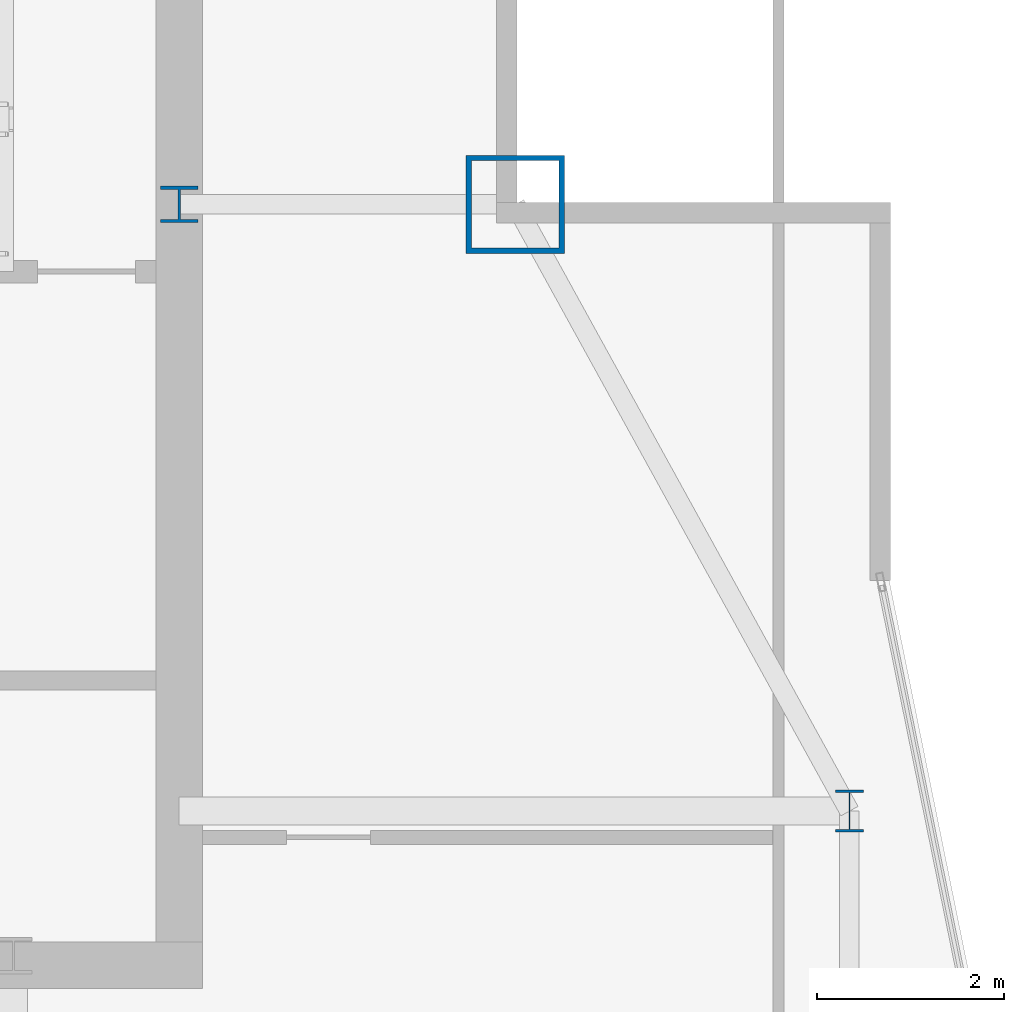
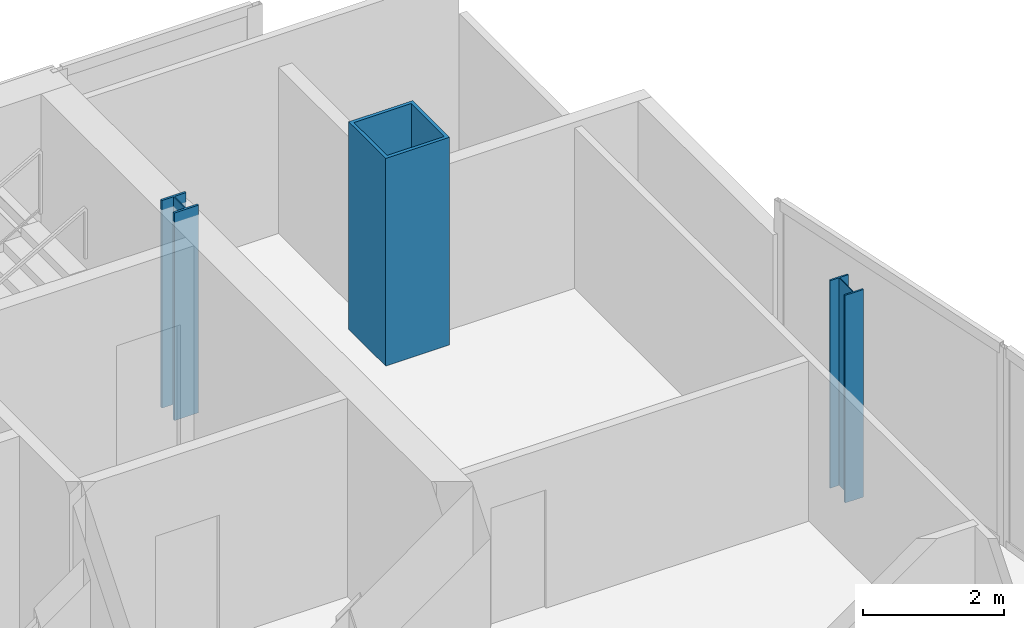
# One storey, part 4 of 31: 3 columns.
"""IFC4 building model written with IfcOpenShell, lengths in metres."""

from ifc_helpers import new_model, si_unit, direction, frame, origin, origin_2d, place, context, subcontext, project, spatial, hollow_rectangle, i_section, extrude, material, material_profile, profile_set, type_object, element, save


model = new_model("IFC4")

# Units and contexts
model_context = context("Model", 3, precision=1e-05, world=origin(), true_north=direction((0.0, 1.0)))
body_context = subcontext(model_context, "Body", "Model", "MODEL_VIEW")
ifc_project = project(units=[si_unit("LENGTHUNIT", "METRE"), si_unit("AREAUNIT", "SQUARE_METRE"), si_unit("VOLUMEUNIT", "CUBIC_METRE"), si_unit("PLANEANGLEUNIT", "RADIAN"), si_unit("MASSUNIT", "GRAM", prefix="KILO")], contexts=[model_context])

# Site, building, storey
site_placement = place(None, origin())
site = spatial("IfcSite", under=ifc_project, at=site_placement, CompositionType="ELEMENT")
building_placement = place(site_placement, origin())
building = spatial("IfcBuilding", under=site, at=building_placement, Name="Khoronbel Lancet Exchange", CompositionType="ELEMENT")
storey_placement = place(building_placement, frame((0.0, 0.0, 273.39990234375)))
storey = spatial("IfcBuildingStorey", under=building, at=storey_placement, Name="L70", CompositionType="ELEMENT", Elevation=273.39990234375)

# Columns
ifc_material_1 = material(Name="Steel S355", Category="steel")
ifc_material_profile_1 = material_profile(ifc_material_1, i_section(OverallWidth=0.39892578125, OverallDepth=0.39306640625, WebThickness=0.022705078125, FlangeThickness=0.03662109375, at=origin_2d()), Name="HD 400x287")
ifc_profile_set_1 = profile_set([ifc_material_profile_1], Name="Steel S355")
column_type_1 = type_object("IfcColumnType", Name="COL-IC4", PredefinedType="COLUMN", material=ifc_profile_set_1)
column_1_placement = place(storey_placement, frame((56.449951171875, 49.699951171875, 0.0), z_axis=(0.0, 0.0, 1.0), x_axis=(1.0, 0.0, 0.0)))
element("IfcColumn", 1, at=column_1_placement, inside=storey, type_object=column_type_1, Name="Core-flank plumb transfer column CFE L70", PredefinedType="COLUMN", context=body_context, shape_type="SweptSolid", body=[
    extrude(i_section(OverallWidth=0.39892578125, OverallDepth=0.39306640625, WebThickness=0.022705078125, FlangeThickness=0.03662109375, at=origin_2d()), origin(), (0.0, 0.0, 1.0), 3.60009765625),
])
ifc_material_profile_2 = material_profile(ifc_material_1, i_section(OverallWidth=0.300048828125, OverallDepth=0.449951171875, WebThickness=0.013916015625, FlangeThickness=0.02587890625, at=origin_2d()), Name="HEB 450")
ifc_profile_set_2 = profile_set([ifc_material_profile_2], Name="Steel S355")
column_type_2 = type_object("IfcColumnType", Name="COL-LC2", PredefinedType="COLUMN", material=ifc_profile_set_2)
column_2_placement = place(storey_placement, frame((63.6298828125, 43.199951171875, 0.0), z_axis=(0.0, 0.0, 1.0), x_axis=(1.0, 0.0, 0.0)))
element("IfcColumn", 2, at=column_2_placement, inside=storey, type_object=column_type_2, Name="Structural column EC-4 L70", PredefinedType="COLUMN", context=body_context, shape_type="SweptSolid", body=[
    extrude(i_section(OverallWidth=0.300048828125, OverallDepth=0.449951171875, WebThickness=0.013916015625, FlangeThickness=0.02587890625, at=origin_2d()), origin(), (0.0, 0.0, 1.0), 3.60009765625),
])
ifc_material_2 = material(Name="Steel S460", Category="steel")
ifc_material_profile_3 = material_profile(ifc_material_2, hollow_rectangle(XDim=1.050048828125, YDim=1.050048828125, WallThickness=0.054931640625, at=origin_2d()), Name="BOX 1050x1050x55")
ifc_profile_set_3 = profile_set([ifc_material_profile_3], Name="Steel S460")
column_type_3 = type_object("IfcColumnType", Name="COL-MC6", PredefinedType="COLUMN", material=ifc_profile_set_3)
column_3_placement = place(storey_placement, frame((60.050048828125, 49.699951171875, 0.0), z_axis=(0.0, 0.0, 1.0), x_axis=(1.0, 0.0, 0.0)))
element("IfcColumn", 3, at=column_3_placement, inside=storey, type_object=column_type_3, Name="Structural column MC-NE L70", PredefinedType="COLUMN", context=body_context, shape_type="SweptSolid", body=[
    extrude(hollow_rectangle(XDim=1.050048828125, YDim=1.050048828125, WallThickness=0.054931640625, at=origin_2d()), origin(), (0.0, 0.0, 1.0), 3.60009765625),
])

save(model, "model.ifc")
